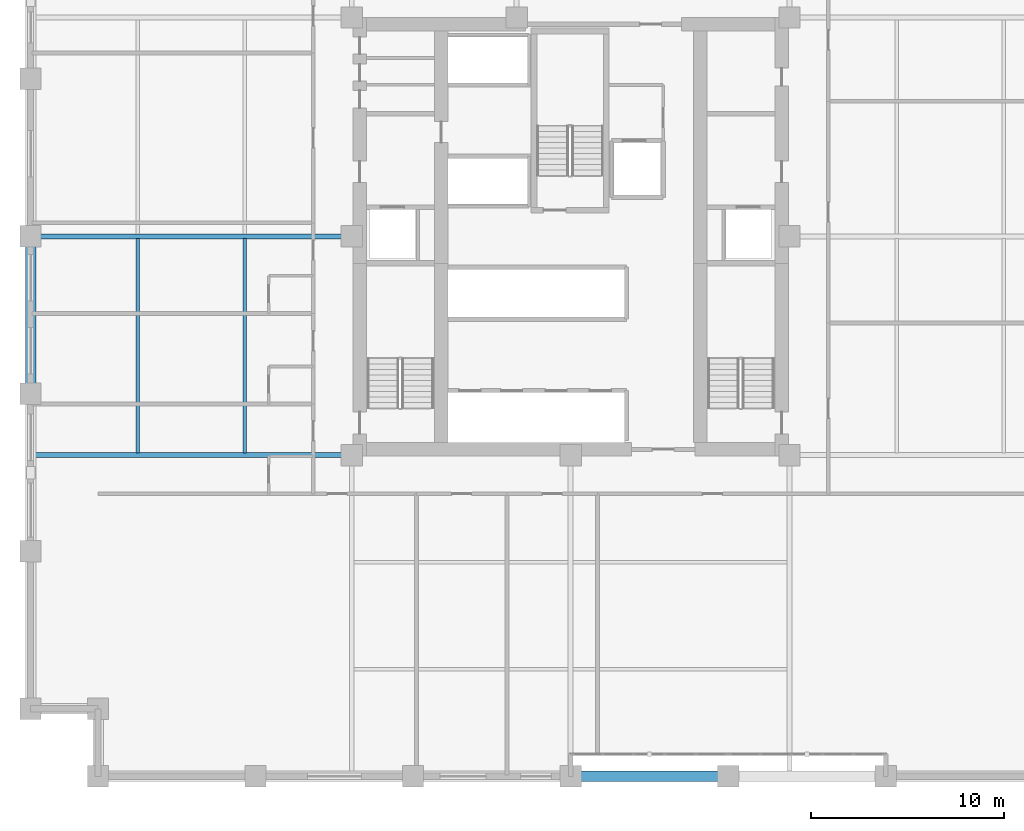
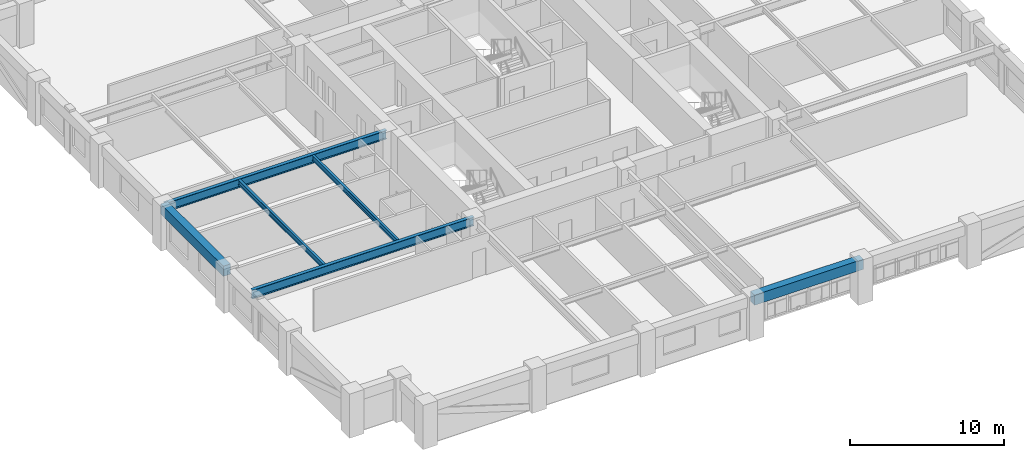
# One storey, part 3 of 13: 6 beams.
"""IFC4 building model written with IfcOpenShell, lengths in metres."""

from ifc_helpers import new_model, si_unit, direction, frame, origin, origin_2d, place, context, subcontext, project, spatial, rectangle, i_section, extrude, material, material_profile, profile_set, type_object, element, save


model = new_model("IFC4")

# Units and contexts
model_context = context("Model", 3, precision=1e-05, world=origin(), true_north=direction((0.0, 1.0)))
body_context = subcontext(model_context, "Body", "Model", "MODEL_VIEW")
ifc_project = project(units=[si_unit("LENGTHUNIT", "METRE"), si_unit("AREAUNIT", "SQUARE_METRE"), si_unit("VOLUMEUNIT", "CUBIC_METRE"), si_unit("PLANEANGLEUNIT", "RADIAN"), si_unit("MASSUNIT", "GRAM", prefix="KILO")], contexts=[model_context])

# Site, building, storey
site_placement = place(None, origin())
site = spatial("IfcSite", under=ifc_project, at=site_placement, CompositionType="ELEMENT")
building_placement = place(site_placement, origin())
building = spatial("IfcBuilding", under=site, at=building_placement, Name="Nhamokura Convention Tower", CompositionType="ELEMENT")
storey_placement = place(building_placement, frame((0.0, 0.0, 63.35009765625)))
storey = spatial("IfcBuildingStorey", under=building, at=storey_placement, Name="L14", CompositionType="ELEMENT", Elevation=63.35009765625)

# Beams
ifc_material_1 = material(Name="Steel ASTM A992 Gr 50", Category="steel")
ifc_material_profile_1 = material_profile(ifc_material_1, i_section(OverallWidth=0.178955078125, OverallDepth=0.409912109375, WebThickness=0.0087890625, FlangeThickness=0.014404296875, at=origin_2d()))
ifc_profile_set_1 = profile_set([ifc_material_profile_1], Name="Steel ASTM A992 Gr 50")
beam_type_1 = type_object("IfcBeamType", Name="FloorJoist_W410X67", PredefinedType="JOIST", material=ifc_profile_set_1)
for number, where, z_axis, x_axis, name in (
    (1, (9.550048828125, 20.77587890625, 3.114990234375), (0.0, 1.0, 0.0), (-1.0, 0.0, 0.0), "L14 Composite Floor Joist W1A"),
    (2, (15.10009765625, 20.77587890625, 3.114990234375), (0.0, 1.0, 0.0), (-1.0, 0.0, 0.0), "L14 Composite Floor Joist W2A"),
):
    element("IfcBeam", number, at=place(storey_placement, frame(where, z_axis=z_axis, x_axis=x_axis)), inside=storey, type_object=beam_type_1, Name=name, PredefinedType="JOIST", context=body_context, shape_type="SweptSolid", body=[
        extrude(i_section(OverallWidth=0.178955078125, OverallDepth=0.409912109375, WebThickness=0.0087890625, FlangeThickness=0.014404296875, at=origin_2d()), origin(), (0.0, 0.0, 1.0), 11.09814453125),
    ])
ifc_material_2 = material(Name="Steel ASTM A992 Gr 50", Category="steel")
ifc_material_profile_2 = material_profile(ifc_material_2, i_section(OverallWidth=0.256103515625, OverallDepth=0.693115234375, WebThickness=0.014404296875, FlangeThickness=0.023681640625, at=origin_2d()))
ifc_profile_set_2 = profile_set([ifc_material_profile_2], Name="Steel ASTM A992 Gr 50")
beam_type_2 = type_object("IfcBeamType", Name="PrimaryGirder_W690X170", PredefinedType="BEAM", material=ifc_profile_set_2)
for number, where, z_axis, x_axis, name in (
    (3, (4.0, 20.64990234375, 2.973388671875), (1.0, 0.0, 0.0), (0.0, 1.0, 0.0), "L14 Primary Floor Girder PG-W1"),
    (4, (4.0, 32.0, 2.973388671875), (1.0, 0.0, 0.0), (0.0, 1.0, 0.0), "L14 Primary Floor Girder PG-W2"),
):
    element("IfcBeam", number, at=place(storey_placement, frame(where, z_axis=z_axis, x_axis=x_axis)), inside=storey, type_object=beam_type_2, Name=name, PredefinedType="BEAM", context=body_context, shape_type="SweptSolid", body=[
        extrude(i_section(OverallWidth=0.256103515625, OverallDepth=0.693115234375, WebThickness=0.014404296875, FlangeThickness=0.023681640625, at=origin_2d()), origin(), (0.0, 0.0, 1.0), 16.64990234375),
    ])
ifc_material_3 = material(Name="Concrete C50/60", Category="concrete")
ifc_material_profile_3 = material_profile(ifc_material_3, rectangle(XDim=0.550048828125, YDim=0.800048828125, at=origin_2d()))
ifc_profile_set_3 = profile_set([ifc_material_profile_3], Name="Concrete C50/60")
beam_type_3 = type_object("IfcBeamType", Name="TubeSpandrel_800", PredefinedType="SPANDREL", material=ifc_profile_set_3)
for number, where, z_axis, x_axis, name in (
    (5, (32.0, 4.0, 2.919921875), (1.0, 0.0, 0.0), (0.0, 1.0, 0.0), "L14 Perimeter Spandrel SOUTH 4"),
    (6, (4.0, 23.833251953125, 2.919921875), (0.0, 1.0, 0.0), (-1.0, 0.0, 0.0), "L14 Perimeter Spandrel WEST 3"),
):
    element("IfcBeam", number, at=place(storey_placement, frame(where, z_axis=z_axis, x_axis=x_axis)), inside=storey, type_object=beam_type_3, Name=name, PredefinedType="SPANDREL", context=body_context, shape_type="SweptSolid", body=[
        extrude(rectangle(XDim=0.550048828125, YDim=0.800048828125, at=origin_2d()), origin(), (0.0, 0.0, 1.0), 8.166748046875),
    ])

save(model, "model.ifc")
